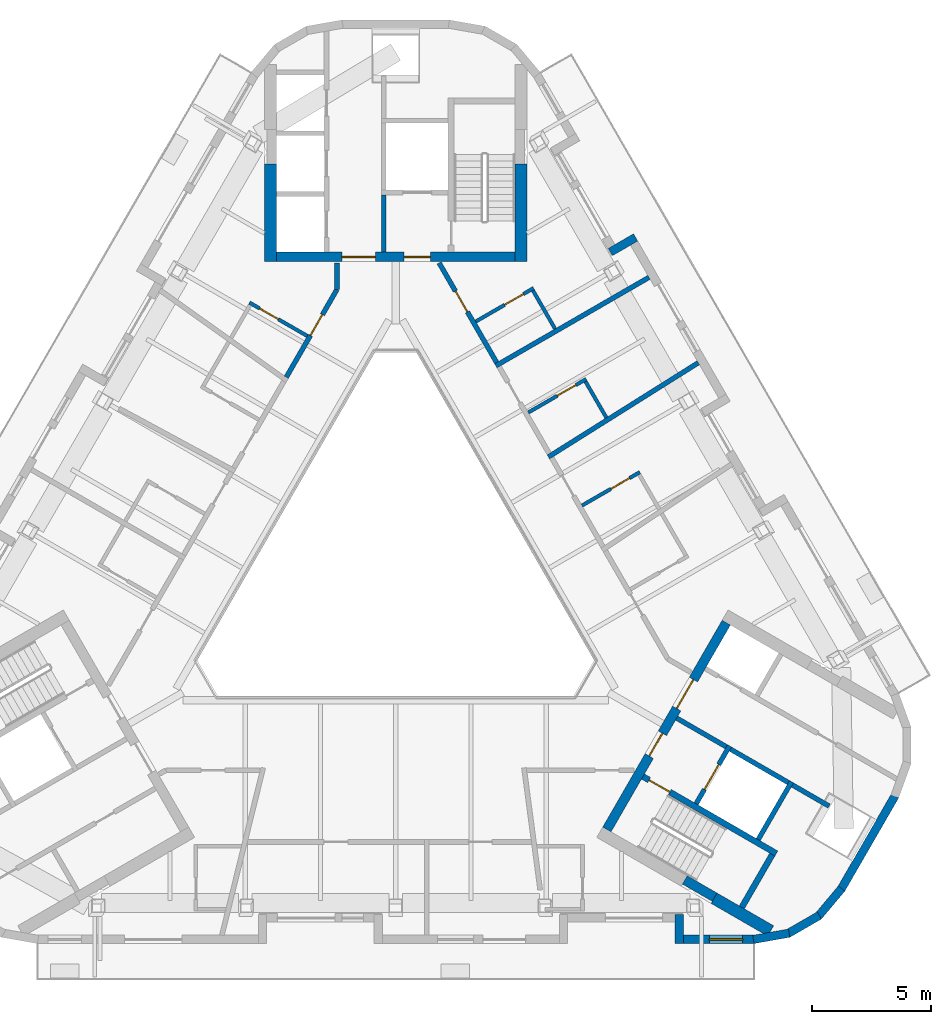
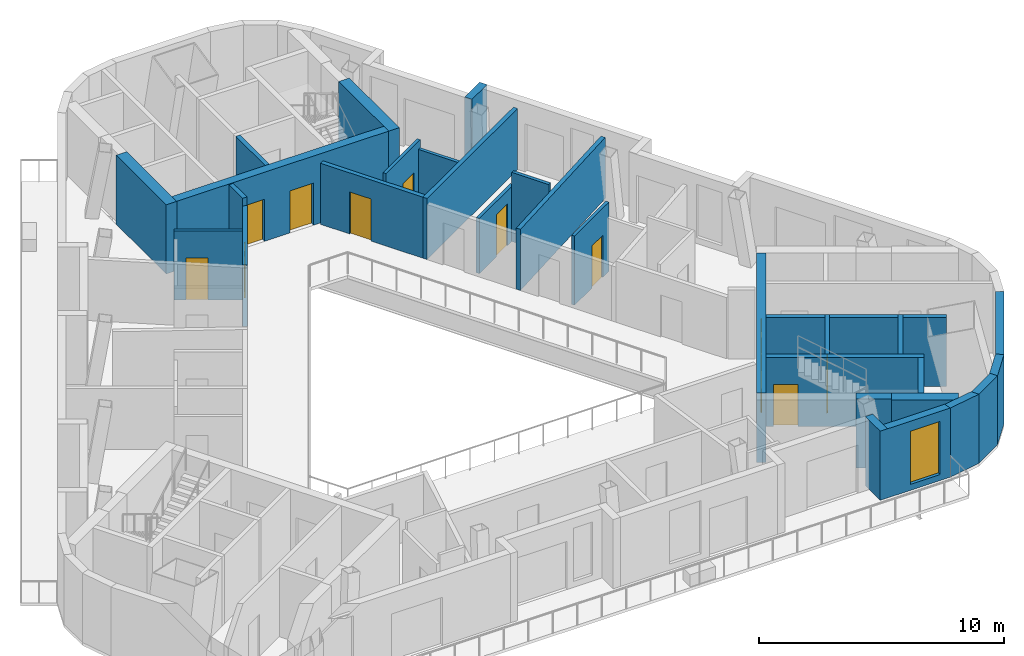
# One storey, part 5 of 11: 32 walls, 12 doors, 1 window, 13 openings.
"""IFC4 building model written with IfcOpenShell, lengths in metres."""

from ifc_helpers import new_model, si_unit, direction, frame, frame_2d, origin, place, context, subcontext, project, spatial, rectangle, extrude, material, layer, layer_set, type_object, element, fill, save


model = new_model("IFC4")

# Units and contexts
model_context = context("Model", 3, precision=1e-05, world=origin(), true_north=direction((0.0, 1.0)))
body_context = subcontext(model_context, "Body", "Model", "MODEL_VIEW")
ifc_project = project(units=[si_unit("LENGTHUNIT", "METRE"), si_unit("AREAUNIT", "SQUARE_METRE"), si_unit("VOLUMEUNIT", "CUBIC_METRE"), si_unit("PLANEANGLEUNIT", "RADIAN"), si_unit("MASSUNIT", "GRAM", prefix="KILO")], contexts=[model_context])

# Site, building, storey
site_placement = place(None, origin())
site = spatial("IfcSite", under=ifc_project, at=site_placement, CompositionType="ELEMENT")
building_placement = place(site_placement, origin())
building = spatial("IfcBuilding", under=site, at=building_placement, Name="Apuvela Tower Hotel", CompositionType="ELEMENT")
storey_placement = place(building_placement, frame((0.0, 0.0, 328.10009765625)))
storey = spatial("IfcBuildingStorey", under=building, at=storey_placement, Name="L82", CompositionType="ELEMENT", Elevation=328.10009765625)

# Wall, openings, doors
ifc_material_1 = material(Name="Concrete C50/60", Category="concrete")
ifc_layer_1 = layer(ifc_material_1, 0.39990234375)
ifc_layer_set_1 = layer_set([ifc_layer_1], Name="COR-WALL-CORE-400")
wall_type_1 = type_object("IfcWallType", Name="COR-WALL-CORE-400", PredefinedType="SHEAR", material=ifc_layer_set_1)
wall_1_placement = place(storey_placement, frame((5.0, 13.10009765625, 0.0), z_axis=(0.0, 0.0, 1.0), x_axis=(-1.0, 0.0, 0.0)))
wall_1 = element("IfcWall", 1, at=wall_1_placement, inside=storey, type_object=wall_type_1, Name="Core wall N", PredefinedType="SHEAR", context=body_context, shape_type="SweptSolid", body=[
    extrude(rectangle(XDim=10.0, YDim=0.39990234375, at=frame_2d((5.0, 0.0))), origin(), (0.0, 0.0, 1.0), 3.449951171875),
])
opening_1_placement = place(wall_1_placement, frame((3.550048828125, 0.0, 0.0)))
opening_1 = element("IfcOpeningElement", 2, at=opening_1_placement, cuts=wall_1, Name="Opening N-FD", PredefinedType="OPENING", context=body_context, shape_type="SweptSolid", body=[
    extrude(rectangle(XDim=1.10009765625, YDim=2.10009765625, at=frame_2d((0.550048828125, 1.050048828125))), frame((0.0, 0.2099609375, 0.0), z_axis=(0.0, -1.0, 0.0), x_axis=(1.0, 0.0, 0.0)), (0.0, 0.0, 1.0), 0.419921875),
])
opening_2_placement = place(wall_1_placement, frame((5.85009765625, 0.0, 0.0)))
opening_2 = element("IfcOpeningElement", 3, at=opening_2_placement, cuts=wall_1, Name="Opening N-GD", PredefinedType="OPENING", context=body_context, shape_type="SweptSolid", body=[
    extrude(rectangle(XDim=1.39990234375, YDim=2.10009765625, at=frame_2d((0.699951171875, 1.050048828125))), frame((0.0, 0.2099609375, 0.0), z_axis=(0.0, -1.0, 0.0), x_axis=(1.0, 0.0, 0.0)), (0.0, 0.0, 1.0), 0.419921875),
])
ifc_material_2 = material(Name="Steel fire door, powder coated", Category="steel")
door_type_1 = type_object("IfcDoorType", Name="COR-FD-1100", OperationType="NOTDEFINED", PredefinedType="DOOR", material=ifc_material_2)
door_1_placement = place(opening_1_placement, frame((1.10009765625, 0.0, 0.0), z_axis=(0.0, 0.0, 1.0), x_axis=(-1.0, 0.0, 0.0)))
door_1 = element("IfcDoor", 4, at=door_1_placement, inside=storey, type_object=door_type_1, Name="Firefighting lobby door N-FD", OperationType="SINGLE_SWING_LEFT", OverallHeight=2.10009765625, OverallWidth=1.10009765625, PredefinedType="DOOR", context=body_context, shape_type="SweptSolid", body=[
    extrude(rectangle(XDim=1.10009765625, YDim=2.10009765625, at=frame_2d((0.550048828125, 1.050048828125))), frame((0.0, 0.02490234375, 0.0), z_axis=(0.0, -1.0, 0.0), x_axis=(1.0, 0.0, 0.0)), (0.0, 0.0, 1.0), 0.050048828125),
])
fill(opening_1, door_1)
ifc_material_3 = material(Name="Glazed steel fire door", Category="steel")
door_type_2 = type_object("IfcDoorType", Name="COR-GD-1400", OperationType="DOUBLE_DOOR_SINGLE_SWING", PredefinedType="DOOR", material=ifc_material_3)
door_2_placement = place(opening_2_placement, frame((1.39990234375, 0.0, 0.0), z_axis=(0.0, 0.0, 1.0), x_axis=(-1.0, 0.0, 0.0)))
door_2 = element("IfcDoor", 5, at=door_2_placement, inside=storey, type_object=door_type_2, Name="Lift lobby door N-GD", OperationType="DOUBLE_DOOR_SINGLE_SWING", OverallHeight=2.10009765625, OverallWidth=1.39990234375, PredefinedType="DOOR", context=body_context, shape_type="SweptSolid", body=[
    extrude(rectangle(XDim=1.39990234375, YDim=2.10009765625, at=frame_2d((0.699951171875, 1.050048828125))), frame((0.0, 0.02490234375, 0.0), z_axis=(0.0, -1.0, 0.0), x_axis=(1.0, 0.0, 0.0)), (0.0, 0.0, 1.0), 0.050048828125),
])
fill(opening_2, door_2)

# Wall
wall_2_placement = place(storey_placement, frame((12.109130859375, -12.99560546875, 0.0), z_axis=(0.0, 0.0, 1.0), x_axis=(0.865977303747, -0.500083302456, 0.0)))
element("IfcWall", 6, at=wall_2_placement, inside=storey, type_object=wall_type_1, Name="Core wall SE", PredefinedType="SHEAR", context=body_context, shape_type="SweptSolid", body=[
    extrude(rectangle(XDim=1.444580078125, YDim=0.39990234375, at=frame_2d((0.72216796875, 0.0))), origin(), (0.0, 0.0, 1.0), 3.449951171875),
])

# Wall, openings, doors
wall_3_placement = place(storey_placement, frame((8.844970703125, -10.880126953125, 0.0), z_axis=(0.0, 0.0, 1.0), x_axis=(0.500004234368, 0.866022959057, 0.0)))
wall_3 = element("IfcWall", 7, at=wall_3_placement, inside=storey, type_object=wall_type_1, Name="Core wall SE", PredefinedType="SHEAR", context=body_context, shape_type="SweptSolid", body=[
    extrude(rectangle(XDim=10.0, YDim=0.39990234375, at=frame_2d((5.0, 0.0))), origin(), (0.0, 0.0, 1.0), 3.449951171875),
])
opening_3_placement = place(wall_3_placement, frame((3.550048828125, 0.0, 0.0)))
opening_3 = element("IfcOpeningElement", 8, at=opening_3_placement, cuts=wall_3, Name="Opening E-FD", PredefinedType="OPENING", context=body_context, shape_type="SweptSolid", body=[
    extrude(rectangle(XDim=1.10009765625, YDim=2.10009765625, at=frame_2d((0.550048828125, 1.050048828125))), frame((0.0, 0.2099609375, 0.0), z_axis=(0.0, -1.0, 0.0), x_axis=(1.0, 0.0, 0.0)), (0.0, 0.0, 1.0), 0.419921875),
])
opening_4_placement = place(wall_3_placement, frame((5.85009765625, 0.0, 0.0)))
opening_4 = element("IfcOpeningElement", 9, at=opening_4_placement, cuts=wall_3, Name="Opening E-GD", PredefinedType="OPENING", context=body_context, shape_type="SweptSolid", body=[
    extrude(rectangle(XDim=1.39990234375, YDim=2.10009765625, at=frame_2d((0.699951171875, 1.050048828125))), frame((0.0, 0.2099609375, 0.0), z_axis=(0.0, -1.0, 0.0), x_axis=(1.0, 0.0, 0.0)), (0.0, 0.0, 1.0), 0.419921875),
])
door_3_placement = place(opening_3_placement, frame((1.10009765625, 0.0, 0.0), z_axis=(0.0, 0.0, 1.0), x_axis=(-1.0, 0.0, 0.0)))
door_3 = element("IfcDoor", 10, at=door_3_placement, inside=storey, type_object=door_type_1, Name="Firefighting lobby door E-FD", OperationType="SINGLE_SWING_LEFT", OverallHeight=2.10009765625, OverallWidth=1.10009765625, PredefinedType="DOOR", context=body_context, shape_type="SweptSolid", body=[
    extrude(rectangle(XDim=1.10009765625, YDim=2.10009765625, at=frame_2d((0.550048828125, 1.050048828125))), frame((0.0, 0.02490234375, 0.0), z_axis=(0.0, -1.0, 0.0), x_axis=(1.0, 0.0, 0.0)), (0.0, 0.0, 1.0), 0.050048828125),
])
fill(opening_3, door_3)
door_4_placement = place(opening_4_placement, frame((1.39990234375, 0.0, 0.0), z_axis=(0.0, 0.0, 1.0), x_axis=(-1.0, 0.0, 0.0)))
door_4 = element("IfcDoor", 11, at=door_4_placement, inside=storey, type_object=door_type_2, Name="Lift lobby door E-GD", OperationType="DOUBLE_DOOR_SINGLE_SWING", OverallHeight=2.10009765625, OverallWidth=1.39990234375, PredefinedType="DOOR", context=body_context, shape_type="SweptSolid", body=[
    extrude(rectangle(XDim=1.39990234375, YDim=2.10009765625, at=frame_2d((0.699951171875, 1.050048828125))), frame((0.0, 0.02490234375, 0.0), z_axis=(0.0, -1.0, 0.0), x_axis=(1.0, 0.0, 0.0)), (0.0, 0.0, 1.0), 0.050048828125),
])
fill(opening_4, door_4)

# Walls
ifc_layer_2 = layer(ifc_material_1, 0.5)
ifc_layer_set_2 = layer_set([ifc_layer_2], Name="COR-WALL-CORE-500")
wall_type_2 = type_object("IfcWallType", Name="COR-WALL-CORE-500", PredefinedType="SHEAR", material=ifc_layer_set_2)
for number, where, z_axis, x_axis, name in (
    (12, (5.25, 12.89990234375, 0.0), (0.0, 0.0, 1.0), (0.0, 1.0, 0.0), "Core wall N"),
    (13, (-5.25, 12.89990234375, 0.0), (0.0, 0.0, 1.0), (0.0, 1.0, 0.0), "Core wall N"),
):
    element("IfcWall", number, at=place(storey_placement, frame(where, z_axis=z_axis, x_axis=x_axis)), inside=storey, type_object=wall_type_2, Name=name, PredefinedType="SHEAR", context=body_context, shape_type="SweptSolid", body=[
        extrude(rectangle(XDim=4.084716796875, YDim=0.5, at=frame_2d((2.04248046875, 0.0))), origin(), (0.0, 0.0, 1.0), 3.449951171875),
    ])
wall_4_placement = place(storey_placement, frame((13.335205078125, -13.76123046875, 0.0), z_axis=(0.0, 0.0, 1.0), x_axis=(0.866034122891, -0.49998489776, 0.0)))
element("IfcWall", 14, at=wall_4_placement, inside=storey, type_object=wall_type_2, Name="Core wall SE", PredefinedType="SHEAR", context=body_context, shape_type="SweptSolid", body=[
    extrude(rectangle(XDim=2.73779296875, YDim=0.5, at=frame_2d((1.368896484375, 0.0))), origin(), (0.0, 0.0, 1.0), 3.449951171875),
])
ifc_layer_3 = layer(ifc_material_1, 0.199951171875)
ifc_layer_set_3 = layer_set([ifc_layer_3], Name="COR-WALL-SHAFT-200")
wall_type_3 = type_object("IfcWallType", Name="COR-WALL-SHAFT-200", PredefinedType="SHEAR", material=ifc_layer_set_3)
wall_5_placement = place(storey_placement, frame((-0.5, 13.300048828125, 0.0), z_axis=(0.0, 0.0, 1.0), x_axis=(0.0, 1.0, 0.0)))
element("IfcWall", 15, at=wall_5_placement, inside=storey, type_object=wall_type_3, Name="Shaft wall N", PredefinedType="SHEAR", context=body_context, shape_type="SweptSolid", body=[
    extrude(rectangle(XDim=2.39990234375, YDim=0.199951171875, at=frame_2d((1.199951171875, 0.0))), origin(), (0.0, 0.0, 1.0), 3.449951171875),
])
wall_6_placement = place(storey_placement, frame((15.181396484375, -11.305419921875, 0.0), z_axis=(0.0, 0.0, 1.0), x_axis=(0.49994636267, 0.866056369097, 0.0)))
element("IfcWall", 16, at=wall_6_placement, inside=storey, type_object=wall_type_3, Name="Shaft wall SE", PredefinedType="SHEAR", context=body_context, shape_type="SweptSolid", body=[
    extrude(rectangle(XDim=2.800048828125, YDim=0.199951171875, at=frame_2d((1.39990234375, 0.0))), origin(), (0.0, 0.0, 1.0), 3.449951171875),
])

# Wall, opening, door
wall_7_placement = place(storey_placement, frame((12.583251953125, -9.805419921875, 0.0), z_axis=(0.0, 0.0, 1.0), x_axis=(0.49994636267, 0.866056369097, 0.0)))
wall_7 = element("IfcWall", 17, at=wall_7_placement, inside=storey, type_object=wall_type_3, Name="Shaft wall SE", PredefinedType="SHEAR", context=body_context, shape_type="SweptSolid", body=[
    extrude(rectangle(XDim=2.800048828125, YDim=0.199951171875, at=frame_2d((1.39990234375, 0.0))), origin(), (0.0, 0.0, 1.0), 3.449951171875),
])
opening_5_placement = place(wall_7_placement, frame((0.699951171875, 0.0, 0.0)))
opening_5 = element("IfcOpeningElement", 18, at=opening_5_placement, cuts=wall_7, Name="Opening E-LD-FS3", PredefinedType="OPENING", context=body_context, shape_type="SweptSolid", body=[
    extrude(rectangle(XDim=1.199951171875, YDim=2.10009765625, at=frame_2d((0.60009765625, 1.050048828125))), frame((0.0, 0.10986328125, 0.0), z_axis=(0.0, -1.0, 0.0), x_axis=(1.0, 0.0, 0.0)), (0.0, 0.0, 1.0), 0.219970703125),
])
ifc_material_4 = material(Name="Stainless steel lift landing door", Category="steel")
door_type_3 = type_object("IfcDoorType", Name="COR-LD-1200", OperationType="DOUBLE_DOOR_SLIDING", PredefinedType="DOOR", material=ifc_material_4)
door_5_placement = place(opening_5_placement, origin())
door_5 = element("IfcDoor", 19, at=door_5_placement, inside=storey, type_object=door_type_3, Name="Lift landing door E-LD-FS3", OperationType="DOUBLE_DOOR_SLIDING", OverallHeight=2.10009765625, OverallWidth=1.199951171875, PredefinedType="DOOR", context=body_context, shape_type="SweptSolid", body=[
    extrude(rectangle(XDim=1.199951171875, YDim=2.10009765625, at=frame_2d((0.60009765625, 1.050048828125))), frame((0.0, 0.02490234375, 0.0), z_axis=(0.0, -1.0, 0.0), x_axis=(1.0, 0.0, 0.0)), (0.0, 0.0, 1.0), 0.050048828125),
])
fill(opening_5, door_5)

# Walls
wall_8_placement = place(storey_placement, frame((11.76806640625, -6.217041015625, 0.0), z_axis=(0.0, 0.0, 1.0), x_axis=(0.866050077142, -0.499957262057, 0.0)))
element("IfcWall", 20, at=wall_8_placement, inside=storey, type_object=wall_type_3, Name="Shaft wall SE", PredefinedType="SHEAR", context=body_context, shape_type="SweptSolid", body=[
    extrude(rectangle(XDim=2.400146484375, YDim=0.199951171875, at=frame_2d((1.2001953125, 0.0))), origin(), (0.0, 0.0, 1.0), 3.449951171875),
])
wall_9_placement = place(storey_placement, frame((14.019775390625, -7.51708984375, 0.0), z_axis=(0.0, 0.0, 1.0), x_axis=(0.866034573852, -0.49998411664, 0.0)))
element("IfcWall", 21, at=wall_9_placement, inside=storey, type_object=wall_type_3, Name="Shaft wall SE", PredefinedType="SHEAR", context=body_context, shape_type="SweptSolid", body=[
    extrude(rectangle(XDim=2.7998046875, YDim=0.199951171875, at=frame_2d((1.39990234375, 0.0))), origin(), (0.0, 0.0, 1.0), 3.449951171875),
])
wall_10_placement = place(storey_placement, frame((16.617919921875, -9.01708984375, 0.0), z_axis=(0.0, 0.0, 1.0), x_axis=(0.866066400931, -0.499928984136, 0.0)))
element("IfcWall", 22, at=wall_10_placement, inside=storey, type_object=wall_type_3, Name="Shaft wall SE", PredefinedType="SHEAR", context=body_context, shape_type="SweptSolid", body=[
    extrude(rectangle(XDim=1.773681640625, YDim=0.199951171875, at=frame_2d((0.88671875, 0.0))), origin(), (0.0, 0.0, 1.0), 3.449951171875),
])

# Wall, opening, door
ifc_layer_4 = layer(ifc_material_1, 0.25)
ifc_layer_set_4 = layer_set([ifc_layer_4], Name="COR-WALL-STAIR-250")
wall_type_4 = type_object("IfcWallType", Name="COR-WALL-STAIR-250", PredefinedType="SHEAR", material=ifc_layer_set_4)
wall_11_placement = place(storey_placement, frame((10.355712890625, -8.66357421875, 0.0), z_axis=(0.0, 0.0, 1.0), x_axis=(0.866028629588, -0.499994412703, 0.0)))
wall_11 = element("IfcWall", 23, at=wall_11_placement, inside=storey, type_object=wall_type_4, Name="Stair wall SE", PredefinedType="SHEAR", context=body_context, shape_type="SweptSolid", body=[
    extrude(rectangle(XDim=6.44970703125, YDim=0.25, at=frame_2d((3.224853515625, 0.0))), origin(), (0.0, 0.0, 1.0), 3.449951171875),
])
opening_6_placement = place(wall_11_placement, frame((0.300048828125, 0.0, 0.0)))
opening_6 = element("IfcOpeningElement", 24, at=opening_6_placement, cuts=wall_11, Name="Opening E-SD", PredefinedType="OPENING", context=body_context, shape_type="SweptSolid", body=[
    extrude(rectangle(XDim=1.0, YDim=2.10009765625, at=frame_2d((0.5, 1.050048828125))), frame((0.0, 0.135009765625, 0.0), z_axis=(0.0, -1.0, 0.0), x_axis=(1.0, 0.0, 0.0)), (0.0, 0.0, 1.0), 0.27001953125),
])
door_type_4 = type_object("IfcDoorType", Name="COR-SD-1000", OperationType="NOTDEFINED", PredefinedType="DOOR", material=ifc_material_2)
door_6_placement = place(opening_6_placement, frame((1.0, 0.0, 0.0), z_axis=(0.0, 0.0, 1.0), x_axis=(-1.0, 0.0, 0.0)))
door_6 = element("IfcDoor", 25, at=door_6_placement, inside=storey, type_object=door_type_4, Name="Stair door E-SD", OperationType="SINGLE_SWING_LEFT", OverallHeight=2.10009765625, OverallWidth=1.0, PredefinedType="DOOR", context=body_context, shape_type="SweptSolid", body=[
    extrude(rectangle(XDim=1.0, YDim=2.10009765625, at=frame_2d((0.5, 1.050048828125))), frame((0.0, 0.02490234375, 0.0), z_axis=(0.0, -1.0, 0.0), x_axis=(1.0, 0.0, 0.0)), (0.0, 0.0, 1.0), 0.050048828125),
])
fill(opening_6, door_6)

# Walls
wall_12_placement = place(storey_placement, frame((14.49560546875, -14.142578125, 0.0), z_axis=(0.0, 0.0, 1.0), x_axis=(0.500062241894, 0.865989465428, 0.0)))
element("IfcWall", 26, at=wall_12_placement, inside=storey, type_object=wall_type_4, Name="Stair wall SE", PredefinedType="SHEAR", context=body_context, shape_type="SweptSolid", body=[
    extrude(rectangle(XDim=2.550048828125, YDim=0.25, at=frame_2d((1.27490234375, 0.0))), origin(), (0.0, 0.0, 1.0), 3.449951171875),
])
ifc_material_5 = material(Name="Concrete C40/50, dark pigmented precast panel", Category="concrete")
ifc_layer_5 = layer(ifc_material_5, 0.35009765625)
ifc_layer_set_5 = layer_set([ifc_layer_5], Name="ENV-WALL-350")
wall_type_5 = type_object("IfcWallType", Name="ENV-WALL-350", PredefinedType="SOLIDWALL", material=ifc_layer_set_5)
wall_13_placement = place(storey_placement, frame((11.8798828125, -14.4404296875, 0.0), z_axis=(0.0, 0.0, 1.0), x_axis=(0.0, -1.0, 0.0)))
element("IfcWall", 27, at=wall_13_placement, inside=storey, type_object=wall_type_5, Name="External wall L82-24", PredefinedType="SOLIDWALL", context=body_context, shape_type="SweptSolid", body=[
    extrude(rectangle(XDim=1.219970703125, YDim=0.35009765625, at=frame_2d((0.60986328125, 0.0))), origin(), (0.0, 0.0, 1.0), 3.449951171875),
])

# Wall, opening, window
wall_14_placement = place(storey_placement, frame((11.704833984375, -15.4853515625, 0.0), z_axis=(0.0, 0.0, 1.0), x_axis=(1.0, 0.0, 0.0)))
wall_14 = element("IfcWall", 28, at=wall_14_placement, inside=storey, type_object=wall_type_5, Name="External wall L82-25", PredefinedType="SOLIDWALL", context=body_context, shape_type="SweptSolid", body=[
    extrude(rectangle(XDim=3.30615234375, YDim=0.35009765625, at=frame_2d((1.653076171875, 0.0))), origin(), (0.0, 0.0, 1.0), 3.449951171875),
])
opening_7_placement = place(wall_14_placement, frame((1.429931640625, 0.0, 0.300048828125)))
opening_7 = element("IfcOpeningElement", 29, at=opening_7_placement, cuts=wall_14, Name="Opening WN14", PredefinedType="OPENING", context=body_context, shape_type="SweptSolid", body=[
    extrude(rectangle(XDim=1.39990234375, YDim=2.64990234375, at=frame_2d((0.699951171875, 1.324951171875))), frame((0.0, 0.18505859375, 0.0), z_axis=(0.0, -1.0, 0.0), x_axis=(1.0, 0.0, 0.0)), (0.0, 0.0, 1.0), 0.3701171875),
])
ifc_material_6 = material(Name="Glass, dark tinted laminated insulated glazing unit", Category="glass")
window_type = type_object("IfcWindowType", Name="ENV-WIN-1400x2650", PartitioningType="SINGLE_PANEL", PredefinedType="WINDOW", material=ifc_material_6)
window_placement = place(opening_7_placement, origin())
window = element("IfcWindow", 30, at=window_placement, inside=storey, type_object=window_type, Name="Window WN14", OverallHeight=2.64990234375, OverallWidth=1.39990234375, PartitioningType="SINGLE_PANEL", PredefinedType="WINDOW", context=body_context, shape_type="SweptSolid", body=[
    extrude(rectangle(XDim=1.39990234375, YDim=2.64990234375, at=frame_2d((0.699951171875, 1.324951171875))), frame((0.0, 0.030029296875, 0.0), z_axis=(0.0, -1.0, 0.0), x_axis=(1.0, 0.0, 0.0)), (0.0, 0.0, 1.0), 0.06005859375),
])
fill(opening_7, window)

# Walls
for number, where, z_axis, x_axis, name in (
    (31, (14.98046875, -15.488037109375, 0.0), (0.0, 0.0, 1.0), (0.984804518596, 0.173666519954, 0.0), "External wall L82-26"),
    (32, (16.424072265625, -15.244140625, 0.0), (0.0, 0.0, 1.0), (0.8661055579, 0.499861143294, 0.0), "External wall L82-27"),
):
    element("IfcWall", number, at=place(storey_placement, frame(where, z_axis=z_axis, x_axis=x_axis)), inside=storey, type_object=wall_type_5, Name=name, PredefinedType="SOLIDWALL", context=body_context, shape_type="SweptSolid", body=[
        extrude(rectangle(XDim=1.52392578125, YDim=0.35009765625, at=frame_2d((0.761962890625, 0.0))), origin(), (0.0, 0.0, 1.0), 3.449951171875),
    ])
wall_15_placement = place(storey_placement, frame((17.697265625, -14.521240234375, 0.0), z_axis=(0.0, 0.0, 1.0), x_axis=(0.642812493629, 0.766023562323, 0.0)))
element("IfcWall", 33, at=wall_15_placement, inside=storey, type_object=wall_type_5, Name="External wall L82-28", PredefinedType="SOLIDWALL", context=body_context, shape_type="SweptSolid", body=[
    extrude(rectangle(XDim=1.523681640625, YDim=0.35009765625, at=frame_2d((0.76171875, 0.0))), origin(), (0.0, 0.0, 1.0), 3.449951171875),
])
wall_16_placement = place(storey_placement, frame((18.6591796875, -13.37890625, 0.0), z_axis=(0.0, 0.0, 1.0), x_axis=(0.500042384281, 0.866000931825, 0.0)))
element("IfcWall", 34, at=wall_16_placement, inside=storey, type_object=wall_type_5, Name="External wall L82-29", PredefinedType="SOLIDWALL", context=body_context, shape_type="SweptSolid", body=[
    extrude(rectangle(XDim=4.513671875, YDim=0.35009765625, at=frame_2d((2.2568359375, 0.0))), origin(), (0.0, 0.0, 1.0), 3.449951171875),
])
wall_17_placement = place(storey_placement, frame((10.048583984375, 13.916259765625, 0.0), z_axis=(0.0, 0.0, 1.0), x_axis=(-0.866005645448, -0.500034220881, 0.0)))
element("IfcWall", 35, at=wall_17_placement, inside=storey, type_object=wall_type_5, Name="External wall L82-38", PredefinedType="SOLIDWALL", context=body_context, shape_type="SweptSolid", body=[
    extrude(rectangle(XDim=1.22021484375, YDim=0.35009765625, at=frame_2d((0.610107421875, 0.0))), origin(), (0.0, 0.0, 1.0), 3.449951171875),
])
ifc_material_7 = material(Name="Gypsum board partition on twin steel stud", Category="steel")
ifc_layer_6 = layer(ifc_material_7, 0.199951171875)
ifc_layer_set_6 = layer_set([ifc_layer_6], Name="GST-PW1")
wall_type_6 = type_object("IfcWallType", Name="GST-PW1", PredefinedType="PARTITIONING", material=ifc_layer_set_6)
wall_18_placement = place(storey_placement, frame((12.67431640625, 8.66845703125, 0.0), z_axis=(0.0, 0.0, 1.0), x_axis=(-0.846714096045, -0.532048155301, 0.0)))
element("IfcWall", 36, at=wall_18_placement, inside=storey, type_object=wall_type_6, Name="L82 partition 05", PredefinedType="PARTITIONING", context=body_context, shape_type="SweptSolid", body=[
    extrude(rectangle(XDim=7.415771484375, YDim=0.199951171875, at=frame_2d((3.7080078125, 0.0))), origin(), (0.0, 0.0, 1.0), 3.0498046875),
])
wall_19_placement = place(storey_placement, frame((10.609130859375, 12.2451171875, 0.0), z_axis=(0.0, 0.0, 1.0), x_axis=(-0.866014407023, -0.500019046465, 0.0)))
element("IfcWall", 37, at=wall_19_placement, inside=storey, type_object=wall_type_6, Name="L82 partition 06", PredefinedType="PARTITIONING", context=body_context, shape_type="SweptSolid", body=[
    extrude(rectangle(XDim=7.410400390625, YDim=0.199951171875, at=frame_2d((3.705078125, 0.0))), origin(), (0.0, 0.0, 1.0), 3.0498046875),
])

# Wall, opening, door
ifc_material_8 = material(Name="Gypsum board corridor wall on twin steel stud, acoustic", Category="steel")
ifc_layer_7 = layer(ifc_material_8, 0.199951171875)
ifc_layer_set_7 = layer_set([ifc_layer_7], Name="GST-PW2")
wall_type_7 = type_object("IfcWallType", Name="GST-PW2", PredefinedType="PARTITIONING", material=ifc_layer_set_7)
wall_20_placement = place(storey_placement, frame((1.818603515625, 12.85009765625, 0.0), z_axis=(0.0, 0.0, 1.0), x_axis=(0.500007490527, -0.866021079084, 0.0)))
wall_20 = element("IfcWall", 38, at=wall_20_placement, inside=storey, type_object=wall_type_7, Name="L82 partition 31", PredefinedType="PARTITIONING", context=body_context, shape_type="SweptSolid", body=[
    extrude(rectangle(XDim=4.8193359375, YDim=0.199951171875, at=frame_2d((2.40966796875, 0.0))), origin(), (0.0, 0.0, 1.0), 3.0498046875),
])
opening_8_placement = place(wall_20_placement, frame((1.369140625, 0.0, 0.0)))
opening_8 = element("IfcOpeningElement", 39, at=opening_8_placement, cuts=wall_20, Name="Opening GD36-14", PredefinedType="OPENING", context=body_context, shape_type="SweptSolid", body=[
    extrude(rectangle(XDim=1.0, YDim=2.10009765625, at=frame_2d((0.5, 1.050048828125))), frame((0.0, 0.10986328125, 0.0), z_axis=(0.0, -1.0, 0.0), x_axis=(1.0, 0.0, 0.0)), (0.0, 0.0, 1.0), 0.219970703125),
])
ifc_material_9 = material(Name="Timber door leaf in steel frame", Category="steel")
door_type_5 = type_object("IfcDoorType", Name="GST-D1", OperationType="NOTDEFINED", PredefinedType="DOOR", material=ifc_material_9)
door_7_placement = place(opening_8_placement, origin())
door_7 = element("IfcDoor", 40, at=door_7_placement, inside=storey, type_object=door_type_5, Name="Door L82-14", OperationType="SINGLE_SWING_LEFT", OverallHeight=2.10009765625, OverallWidth=1.0, PredefinedType="DOOR", context=body_context, shape_type="SweptSolid", body=[
    extrude(rectangle(XDim=1.0, YDim=2.10009765625, at=frame_2d((0.5, 1.050048828125))), frame((0.0, 0.02490234375, 0.0), z_axis=(0.0, -1.0, 0.0), x_axis=(1.0, 0.0, 0.0)), (0.0, 0.0, 1.0), 0.050048828125),
])
fill(opening_8, door_7)

wall_21_placement = place(storey_placement, frame((-4.582763671875, 8.0625, 0.0), z_axis=(0.0, 0.0, 1.0), x_axis=(0.50000452617, 0.866022790583, 0.0)))
wall_21 = element("IfcWall", 41, at=wall_21_placement, inside=storey, type_object=wall_type_7, Name="L82 partition 34", PredefinedType="PARTITIONING", context=body_context, shape_type="SweptSolid", body=[
    extrude(rectangle(XDim=4.24560546875, YDim=0.199951171875, at=frame_2d((2.122802734375, 0.0))), origin(), (0.0, 0.0, 1.0), 3.0498046875),
])
opening_9_placement = place(wall_21_placement, frame((2.022705078125, 0.0, 0.0)))
opening_9 = element("IfcOpeningElement", 42, at=opening_9_placement, cuts=wall_21, Name="Opening GD36-16", PredefinedType="OPENING", context=body_context, shape_type="SweptSolid", body=[
    extrude(rectangle(XDim=1.0, YDim=2.10009765625, at=frame_2d((0.5, 1.050048828125))), frame((0.0, 0.10986328125, 0.0), z_axis=(0.0, -1.0, 0.0), x_axis=(1.0, 0.0, 0.0)), (0.0, 0.0, 1.0), 0.219970703125),
])
door_8_placement = place(opening_9_placement, origin())
door_8 = element("IfcDoor", 43, at=door_8_placement, inside=storey, type_object=door_type_5, Name="Door L82-16", OperationType="SINGLE_SWING_RIGHT", OverallHeight=2.10009765625, OverallWidth=1.0, PredefinedType="DOOR", context=body_context, shape_type="SweptSolid", body=[
    extrude(rectangle(XDim=1.0, YDim=2.10009765625, at=frame_2d((0.5, 1.050048828125))), frame((0.0, 0.02490234375, 0.0), z_axis=(0.0, -1.0, 0.0), x_axis=(1.0, 0.0, 0.0)), (0.0, 0.0, 1.0), 0.050048828125),
])
fill(opening_9, door_8)

# Wall
wall_22_placement = place(storey_placement, frame((-2.4599609375, 11.7392578125, 0.0), z_axis=(0.0, 0.0, 1.0), x_axis=(0.0, 1.0, 0.0)))
element("IfcWall", 44, at=wall_22_placement, inside=storey, type_object=wall_type_7, Name="L82 partition 35", PredefinedType="PARTITIONING", context=body_context, shape_type="SweptSolid", body=[
    extrude(rectangle(XDim=1.11083984375, YDim=0.199951171875, at=frame_2d((0.555419921875, 0.0))), origin(), (0.0, 0.0, 1.0), 3.449951171875),
])

# Wall, opening, door
ifc_material_10 = material(Name="Moisture-resistant gypsum board wet wall on steel stud", Category="steel")
ifc_layer_8 = layer(ifc_material_10, 0.14990234375)
ifc_layer_set_8 = layer_set([ifc_layer_8], Name="GST-PW3")
wall_type_8 = type_object("IfcWallType", Name="GST-PW3", PredefinedType="PARTITIONING", material=ifc_layer_set_8)
wall_23_placement = place(storey_placement, frame((10.22705078125, 4.086181640625, 0.0), z_axis=(0.0, 0.0, 1.0), x_axis=(-0.866034573852, -0.49998411664, 0.0)))
wall_23 = element("IfcWall", 45, at=wall_23_placement, inside=storey, type_object=wall_type_8, Name="L82 partition 26", PredefinedType="PARTITIONING", context=body_context, shape_type="SweptSolid", body=[
    extrude(rectangle(XDim=2.7998046875, YDim=0.14990234375, at=frame_2d((1.39990234375, 0.0))), origin(), (0.0, 0.0, 1.0), 3.449951171875),
])
opening_10_placement = place(wall_23_placement, frame((0.5, 0.0, 0.0)))
opening_10 = element("IfcOpeningElement", 46, at=opening_10_placement, cuts=wall_23, Name="Opening GD36-09", PredefinedType="OPENING", context=body_context, shape_type="SweptSolid", body=[
    extrude(rectangle(XDim=0.89990234375, YDim=2.10009765625, at=frame_2d((0.449951171875, 1.050048828125))), frame((0.0, 0.0849609375, 0.0), z_axis=(0.0, -1.0, 0.0), x_axis=(1.0, 0.0, 0.0)), (0.0, 0.0, 1.0), 0.169921875),
])
door_type_6 = type_object("IfcDoorType", Name="GST-D2", OperationType="NOTDEFINED", PredefinedType="DOOR", material=ifc_material_9)
door_9_placement = place(opening_10_placement, origin())
door_9 = element("IfcDoor", 47, at=door_9_placement, inside=storey, type_object=door_type_6, Name="Door L82-09", OperationType="SINGLE_SWING_LEFT", OverallHeight=2.10009765625, OverallWidth=0.89990234375, PredefinedType="DOOR", context=body_context, shape_type="SweptSolid", body=[
    extrude(rectangle(XDim=0.89990234375, YDim=2.10009765625, at=frame_2d((0.449951171875, 1.050048828125))), frame((0.0, 0.02490234375, 0.0), z_axis=(0.0, -1.0, 0.0), x_axis=(1.0, 0.0, 0.0)), (0.0, 0.0, 1.0), 0.050048828125),
])
fill(opening_10, door_9)

wall_24_placement = place(storey_placement, frame((7.97705078125, 7.983154296875, 0.0), z_axis=(0.0, 0.0, 1.0), x_axis=(-0.866034573852, -0.49998411664, 0.0)))
wall_24 = element("IfcWall", 48, at=wall_24_placement, inside=storey, type_object=wall_type_8, Name="L82 partition 29", PredefinedType="PARTITIONING", context=body_context, shape_type="SweptSolid", body=[
    extrude(rectangle(XDim=2.7998046875, YDim=0.14990234375, at=frame_2d((1.39990234375, 0.0))), origin(), (0.0, 0.0, 1.0), 2.75),
])
opening_11_placement = place(wall_24_placement, frame((0.5, 0.0, 0.0)))
opening_11 = element("IfcOpeningElement", 49, at=opening_11_placement, cuts=wall_24, Name="Opening GD36-11", PredefinedType="OPENING", context=body_context, shape_type="SweptSolid", body=[
    extrude(rectangle(XDim=0.89990234375, YDim=2.10009765625, at=frame_2d((0.449951171875, 1.050048828125))), frame((0.0, 0.0849609375, 0.0), z_axis=(0.0, -1.0, 0.0), x_axis=(1.0, 0.0, 0.0)), (0.0, 0.0, 1.0), 0.169921875),
])
door_10_placement = place(opening_11_placement, origin())
door_10 = element("IfcDoor", 50, at=door_10_placement, inside=storey, type_object=door_type_6, Name="Door L82-11", OperationType="SINGLE_SWING_LEFT", OverallHeight=2.10009765625, OverallWidth=0.89990234375, PredefinedType="DOOR", context=body_context, shape_type="SweptSolid", body=[
    extrude(rectangle(XDim=0.89990234375, YDim=2.10009765625, at=frame_2d((0.449951171875, 1.050048828125))), frame((0.0, 0.02490234375, 0.0), z_axis=(0.0, -1.0, 0.0), x_axis=(1.0, 0.0, 0.0)), (0.0, 0.0, 1.0), 0.050048828125),
])
fill(opening_11, door_10)

# Wall
wall_25_placement = place(storey_placement, frame((8.82373046875, 6.366943359375, 0.0), z_axis=(0.0, 0.0, 1.0), x_axis=(-0.500044870432, 0.865999496279, 0.0)))
element("IfcWall", 51, at=wall_25_placement, inside=storey, type_object=wall_type_8, Name="L82 partition 30", PredefinedType="PARTITIONING", context=body_context, shape_type="SweptSolid", body=[
    extrude(rectangle(XDim=1.747802734375, YDim=0.14990234375, at=frame_2d((0.8740234375, 0.0))), origin(), (0.0, 0.0, 1.0), 3.449951171875),
])

# Wall, opening, door
wall_26_placement = place(storey_placement, frame((5.777099609375, 11.793701171875, 0.0), z_axis=(0.0, 0.0, 1.0), x_axis=(-0.865996816683, -0.500049511043, 0.0)))
wall_26 = element("IfcWall", 52, at=wall_26_placement, inside=storey, type_object=wall_type_8, Name="L82 partition 32", PredefinedType="PARTITIONING", context=body_context, shape_type="SweptSolid", body=[
    extrude(rectangle(XDim=2.800048828125, YDim=0.14990234375, at=frame_2d((1.39990234375, 0.0))), origin(), (0.0, 0.0, 1.0), 3.449951171875),
])
opening_12_placement = place(wall_26_placement, frame((0.5, 0.0, 0.0)))
opening_12 = element("IfcOpeningElement", 53, at=opening_12_placement, cuts=wall_26, Name="Opening GD36-13", PredefinedType="OPENING", context=body_context, shape_type="SweptSolid", body=[
    extrude(rectangle(XDim=0.89990234375, YDim=2.10009765625, at=frame_2d((0.449951171875, 1.050048828125))), frame((0.0, 0.0849609375, 0.0), z_axis=(0.0, -1.0, 0.0), x_axis=(1.0, 0.0, 0.0)), (0.0, 0.0, 1.0), 0.169921875),
])
door_11_placement = place(opening_12_placement, origin())
door_11 = element("IfcDoor", 54, at=door_11_placement, inside=storey, type_object=door_type_6, Name="Door L82-13", OperationType="SINGLE_SWING_LEFT", OverallHeight=2.10009765625, OverallWidth=0.89990234375, PredefinedType="DOOR", context=body_context, shape_type="SweptSolid", body=[
    extrude(rectangle(XDim=0.89990234375, YDim=2.10009765625, at=frame_2d((0.449951171875, 1.050048828125))), frame((0.0, 0.02490234375, 0.0), z_axis=(0.0, -1.0, 0.0), x_axis=(1.0, 0.0, 0.0)), (0.0, 0.0, 1.0), 0.050048828125),
])
fill(opening_12, door_11)

# Wall
wall_27_placement = place(storey_placement, frame((6.6748046875, 10.089111328125, 0.0), z_axis=(0.0, 0.0, 1.0), x_axis=(-0.500042316284, 0.866000971088, 0.0)))
element("IfcWall", 55, at=wall_27_placement, inside=storey, type_object=wall_type_8, Name="L82 partition 33", PredefinedType="PARTITIONING", context=body_context, shape_type="SweptSolid", body=[
    extrude(rectangle(XDim=1.849853515625, YDim=0.14990234375, at=frame_2d((0.9248046875, 0.0))), origin(), (0.0, 0.0, 1.0), 3.0498046875),
])

# Wall, opening, door
wall_28_placement = place(storey_placement, frame((-3.7021484375, 9.787841796875, 0.0), z_axis=(0.0, 0.0, 1.0), x_axis=(-0.866034573852, 0.49998411664, 0.0)))
wall_28 = element("IfcWall", 56, at=wall_28_placement, inside=storey, type_object=wall_type_8, Name="L82 partition 36", PredefinedType="PARTITIONING", context=body_context, shape_type="SweptSolid", body=[
    extrude(rectangle(XDim=2.7998046875, YDim=0.14990234375, at=frame_2d((1.39990234375, 0.0))), origin(), (0.0, 0.0, 1.0), 3.449951171875),
])
opening_13_placement = place(wall_28_placement, frame((1.39990234375, 0.0, 0.0)))
opening_13 = element("IfcOpeningElement", 57, at=opening_13_placement, cuts=wall_28, Name="Opening GD36-15", PredefinedType="OPENING", context=body_context, shape_type="SweptSolid", body=[
    extrude(rectangle(XDim=0.89990234375, YDim=2.10009765625, at=frame_2d((0.449951171875, 1.050048828125))), frame((0.0, 0.0849609375, 0.0), z_axis=(0.0, -1.0, 0.0), x_axis=(1.0, 0.0, 0.0)), (0.0, 0.0, 1.0), 0.169921875),
])
door_12_placement = place(opening_13_placement, origin())
door_12 = element("IfcDoor", 58, at=door_12_placement, inside=storey, type_object=door_type_6, Name="Door L82-15", OperationType="SINGLE_SWING_RIGHT", OverallHeight=2.10009765625, OverallWidth=0.89990234375, PredefinedType="DOOR", context=body_context, shape_type="SweptSolid", body=[
    extrude(rectangle(XDim=0.89990234375, YDim=2.10009765625, at=frame_2d((0.449951171875, 1.050048828125))), frame((0.0, 0.02490234375, 0.0), z_axis=(0.0, -1.0, 0.0), x_axis=(1.0, 0.0, 0.0)), (0.0, 0.0, 1.0), 0.050048828125),
])
fill(opening_13, door_12)

save(model, "model.ifc")
